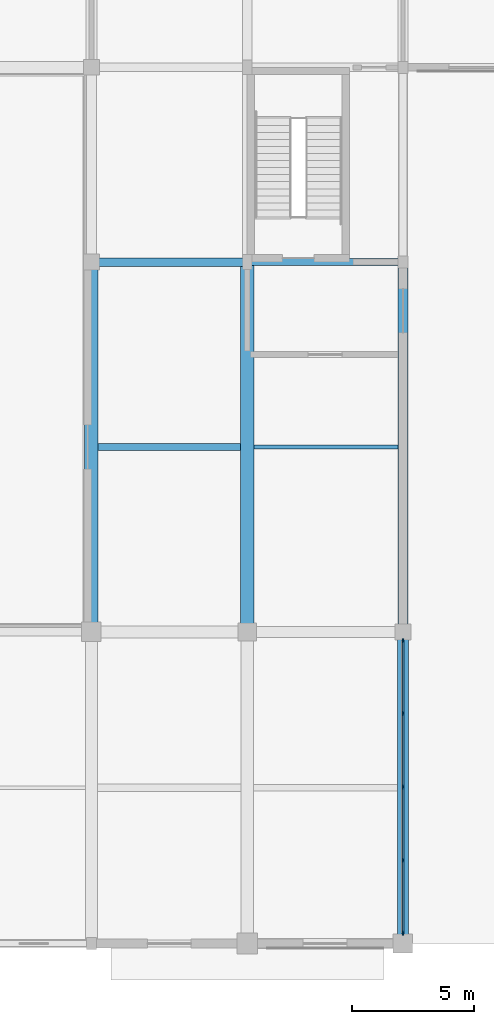
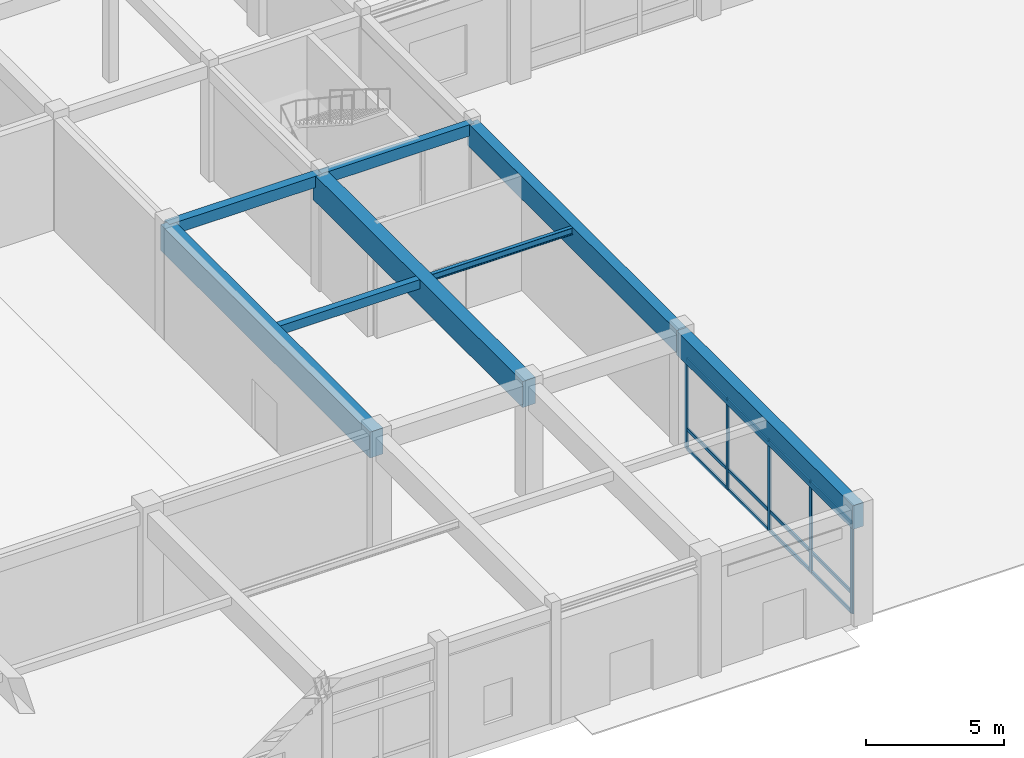
# One storey, part 6 of 40: 17 members, 8 beams, 1 element without a shape of its own.
"""IFC4 building model written with IfcOpenShell, lengths in metres."""

from ifc_helpers import new_model, si_unit, direction, frame, origin, origin_2d, place, context, subcontext, project, spatial, rectangle, i_section, extrude, material, material_profile, profile_set, type_object, element, aggregate, save


model = new_model("IFC4")

# Units and contexts
model_context = context("Model", 3, precision=1e-05, world=origin(), true_north=direction((0.0, 1.0)))
body_context = subcontext(model_context, "Body", "Model", "MODEL_VIEW")
ifc_project = project(units=[si_unit("LENGTHUNIT", "METRE"), si_unit("AREAUNIT", "SQUARE_METRE"), si_unit("VOLUMEUNIT", "CUBIC_METRE"), si_unit("PLANEANGLEUNIT", "RADIAN"), si_unit("MASSUNIT", "GRAM", prefix="KILO")], contexts=[model_context])

# Site, building, storey
site_placement = place(None, origin())
site = spatial("IfcSite", under=ifc_project, at=site_placement, CompositionType="ELEMENT")
building_placement = place(site_placement, origin())
building = spatial("IfcBuilding", under=site, at=building_placement, Name="Vellmiral Cinema and Media Centre", CompositionType="ELEMENT")
storey_placement = place(building_placement, origin())
storey = spatial("IfcBuildingStorey", under=building, at=storey_placement, Name="L00", CompositionType="ELEMENT", Elevation=0.0)

# Beams
ifc_material_1 = material(Name="Concrete C40/50", Category="concrete")
ifc_material_profile_1 = material_profile(ifc_material_1, rectangle(XDim=0.300048828125, YDim=0.5, at=origin_2d()), Name="RC 300x500")
ifc_profile_set_1 = profile_set([ifc_material_profile_1], Name="Concrete C40/50")
beam_type_1 = type_object("IfcBeamType", Name="BM-RC-300x500", PredefinedType="BEAM", material=ifc_profile_set_1)
beam_1_placement = place(storey_placement, frame((41.60009765625, 28.0, 4.824951171875), z_axis=(1.0, 0.0, 0.0), x_axis=(0.0, 1.0, 0.0)))
element("IfcBeam", 1, at=beam_1_placement, inside=storey, type_object=beam_type_1, Name="Grid Beam L00-X018", PredefinedType="BEAM", context=body_context, shape_type="SweptSolid", body=[
    extrude(rectangle(XDim=0.300048828125, YDim=0.5, at=origin_2d()), origin(), (0.0, 0.0, 1.0), 6.39990234375),
])
ifc_material_2 = material(Name="Concrete C40/50", Category="concrete")
ifc_material_profile_2 = material_profile(ifc_material_2, rectangle(XDim=0.35009765625, YDim=0.5, at=origin_2d()), Name="RC 350x500")
ifc_profile_set_2 = profile_set([ifc_material_profile_2], Name="Concrete C40/50")
beam_type_2 = type_object("IfcBeamType", Name="BM-RC-350x500", PredefinedType="BEAM", material=ifc_profile_set_2)
beam_2_placement = place(storey_placement, frame((35.199951171875, 28.0, 4.824951171875), z_axis=(1.0, 0.0, 0.0), x_axis=(0.0, 1.0, 0.0)))
element("IfcBeam", 2, at=beam_2_placement, inside=storey, type_object=beam_type_2, Name="Grid Beam L00-X017", PredefinedType="BEAM", context=body_context, shape_type="SweptSolid", body=[
    extrude(rectangle(XDim=0.35009765625, YDim=0.5, at=origin_2d()), origin(), (0.0, 0.0, 1.0), 6.400146484375),
])
ifc_material_3 = material(Name="Concrete C40/50", Category="concrete")
ifc_material_profile_3 = material_profile(ifc_material_3, rectangle(XDim=0.550048828125, YDim=1.14990234375, at=origin_2d()), Name="RC 550x1150")
ifc_profile_set_3 = profile_set([ifc_material_profile_3], Name="Concrete C40/50")
beam_type_3 = type_object("IfcBeamType", Name="BM-RCG-550x1150", PredefinedType="BEAM", material=ifc_profile_set_3)
for number, where, z_axis, x_axis, name in (
    (3, (35.199951171875, 12.800048828125, 4.5), (0.0, 1.0, 0.0), (-1.0, 0.0, 0.0), "Grid Beam L00-Y218"),
    (4, (41.60009765625, 12.800048828125, 4.5), (0.0, 1.0, 0.0), (-1.0, 0.0, 0.0), "Grid Beam L00-Y230"),
):
    element("IfcBeam", number, at=place(storey_placement, frame(where, z_axis=z_axis, x_axis=x_axis)), inside=storey, type_object=beam_type_3, Name=name, PredefinedType="BEAM", context=body_context, shape_type="SweptSolid", body=[
        extrude(rectangle(XDim=0.550048828125, YDim=1.14990234375, at=origin_2d()), origin(), (0.0, 0.0, 1.0), 15.199951171875),
    ])

# Curtain wall, members
ifc_material_4 = material(Name="Thermally Broken Aluminium and Triple Glazing", Category="aluminium")
curtain_wall_type = type_object("IfcCurtainWallType", Name="CW-POD-GALLERY", PredefinedType="USERDEFINED", material=ifc_material_4)
curtain_wall_placement = place(storey_placement, origin())
curtain_wall = element("IfcCurtainWall", 5, at=curtain_wall_placement, inside=storey, type_object=curtain_wall_type, Name="Curtain Wall L00-B009", ObjectType="STICK CURTAIN WALL", PredefinedType="USERDEFINED")
ifc_material_5 = material(Name="Thermally Broken Anodised Aluminium", Category="aluminium")
ifc_material_profile_4 = material_profile(ifc_material_5, rectangle(XDim=0.070068359375, YDim=0.179931640625, at=origin_2d()), Name="MULL 70x180")
ifc_profile_set_4 = profile_set([ifc_material_profile_4], Name="Thermally Broken Anodised Aluminium")
member_type_1 = type_object("IfcMemberType", Name="CWM-70x180", PredefinedType="MULLION", material=ifc_profile_set_4)
member_1_placement = place(storey_placement, frame((48.0, 0.43505859375, 0.0), z_axis=(0.0, 0.0, 1.0), x_axis=(-1.0, 0.0, 0.0)))
member_1 = element("IfcMember", 6, at=member_1_placement, type_object=member_type_1, Name="CW-04 mullion 1", PredefinedType="MULLION", context=body_context, shape_type="SweptSolid", body=[
    extrude(rectangle(XDim=0.070068359375, YDim=0.179931640625, at=origin_2d()), origin(), (0.0, 0.0, 1.0), 4.014892578125),
])
member_2_placement = place(storey_placement, frame((48.0, 3.418701171875, 0.0), z_axis=(0.0, 0.0, 1.0), x_axis=(-1.0, 0.0, 0.0)))
member_2 = element("IfcMember", 7, at=member_2_placement, type_object=member_type_1, Name="CW-04 mullion 2", PredefinedType="MULLION", context=body_context, shape_type="SweptSolid", body=[
    extrude(rectangle(XDim=0.070068359375, YDim=0.179931640625, at=origin_2d()), origin(), (0.0, 0.0, 1.0), 4.014892578125),
])
member_3_placement = place(storey_placement, frame((48.0, 6.4375, 0.0), z_axis=(0.0, 0.0, 1.0), x_axis=(-1.0, 0.0, 0.0)))
member_3 = element("IfcMember", 8, at=member_3_placement, type_object=member_type_1, Name="CW-04 mullion 3", PredefinedType="MULLION", context=body_context, shape_type="SweptSolid", body=[
    extrude(rectangle(XDim=0.070068359375, YDim=0.179931640625, at=origin_2d()), origin(), (0.0, 0.0, 1.0), 4.014892578125),
])
member_4_placement = place(storey_placement, frame((48.0, 9.456298828125, 0.0), z_axis=(0.0, 0.0, 1.0), x_axis=(-1.0, 0.0, 0.0)))
member_4 = element("IfcMember", 9, at=member_4_placement, type_object=member_type_1, Name="CW-04 mullion 4", PredefinedType="MULLION", context=body_context, shape_type="SweptSolid", body=[
    extrude(rectangle(XDim=0.070068359375, YDim=0.179931640625, at=origin_2d()), origin(), (0.0, 0.0, 1.0), 4.014892578125),
])
member_5_placement = place(storey_placement, frame((48.0, 12.43994140625, 0.0), z_axis=(0.0, 0.0, 1.0), x_axis=(-1.0, 0.0, 0.0)))
member_5 = element("IfcMember", 10, at=member_5_placement, type_object=member_type_1, Name="CW-04 mullion 5", PredefinedType="MULLION", context=body_context, shape_type="SweptSolid", body=[
    extrude(rectangle(XDim=0.070068359375, YDim=0.179931640625, at=origin_2d()), origin(), (0.0, 0.0, 1.0), 4.014892578125),
])
ifc_material_6 = material(Name="Thermally Broken Anodised Aluminium", Category="aluminium")
ifc_material_profile_5 = material_profile(ifc_material_6, rectangle(XDim=0.070068359375, YDim=0.14990234375, at=origin_2d()), Name="MULL 70x150")
ifc_profile_set_5 = profile_set([ifc_material_profile_5], Name="Thermally Broken Anodised Aluminium")
member_type_2 = type_object("IfcMemberType", Name="CWT-70x150", PredefinedType="USERDEFINED", material=ifc_profile_set_5)
member_6_placement = place(storey_placement, frame((48.0, 0.469970703125, 0.034912109375), z_axis=(0.0, 1.0, 0.0), x_axis=(-1.0, 0.0, 0.0)))
member_6 = element("IfcMember", 11, at=member_6_placement, type_object=member_type_2, Name="CW-04 transom 1.1", ObjectType="TRANSOM", PredefinedType="USERDEFINED", context=body_context, shape_type="SweptSolid", body=[
    extrude(rectangle(XDim=0.070068359375, YDim=0.14990234375, at=origin_2d()), origin(), (0.0, 0.0, 1.0), 2.913818359375),
])
member_7_placement = place(storey_placement, frame((48.0, 0.469970703125, 0.89990234375), z_axis=(0.0, 1.0, 0.0), x_axis=(-1.0, 0.0, 0.0)))
member_7 = element("IfcMember", 12, at=member_7_placement, type_object=member_type_2, Name="CW-04 transom 1.2", ObjectType="TRANSOM", PredefinedType="USERDEFINED", context=body_context, shape_type="SweptSolid", body=[
    extrude(rectangle(XDim=0.070068359375, YDim=0.14990234375, at=origin_2d()), origin(), (0.0, 0.0, 1.0), 2.913818359375),
])
member_8_placement = place(storey_placement, frame((48.0, 0.469970703125, 3.97998046875), z_axis=(0.0, 1.0, 0.0), x_axis=(-1.0, 0.0, 0.0)))
member_8 = element("IfcMember", 13, at=member_8_placement, type_object=member_type_2, Name="CW-04 transom 1.3", ObjectType="TRANSOM", PredefinedType="USERDEFINED", context=body_context, shape_type="SweptSolid", body=[
    extrude(rectangle(XDim=0.070068359375, YDim=0.14990234375, at=origin_2d()), origin(), (0.0, 0.0, 1.0), 2.913818359375),
])
member_9_placement = place(storey_placement, frame((48.0, 3.453857421875, 0.034912109375), z_axis=(0.0, 1.0, 0.0), x_axis=(-1.0, 0.0, 0.0)))
member_9 = element("IfcMember", 14, at=member_9_placement, type_object=member_type_2, Name="CW-04 transom 2.1", ObjectType="TRANSOM", PredefinedType="USERDEFINED", context=body_context, shape_type="SweptSolid", body=[
    extrude(rectangle(XDim=0.070068359375, YDim=0.14990234375, at=origin_2d()), origin(), (0.0, 0.0, 1.0), 2.94873046875),
])
member_10_placement = place(storey_placement, frame((48.0, 3.453857421875, 0.89990234375), z_axis=(0.0, 1.0, 0.0), x_axis=(-1.0, 0.0, 0.0)))
member_10 = element("IfcMember", 15, at=member_10_placement, type_object=member_type_2, Name="CW-04 transom 2.2", ObjectType="TRANSOM", PredefinedType="USERDEFINED", context=body_context, shape_type="SweptSolid", body=[
    extrude(rectangle(XDim=0.070068359375, YDim=0.14990234375, at=origin_2d()), origin(), (0.0, 0.0, 1.0), 2.94873046875),
])
member_11_placement = place(storey_placement, frame((48.0, 3.453857421875, 3.97998046875), z_axis=(0.0, 1.0, 0.0), x_axis=(-1.0, 0.0, 0.0)))
member_11 = element("IfcMember", 16, at=member_11_placement, type_object=member_type_2, Name="CW-04 transom 2.3", ObjectType="TRANSOM", PredefinedType="USERDEFINED", context=body_context, shape_type="SweptSolid", body=[
    extrude(rectangle(XDim=0.070068359375, YDim=0.14990234375, at=origin_2d()), origin(), (0.0, 0.0, 1.0), 2.94873046875),
])
member_12_placement = place(storey_placement, frame((48.0, 6.472412109375, 0.034912109375), z_axis=(0.0, 1.0, 0.0), x_axis=(-1.0, 0.0, 0.0)))
member_12 = element("IfcMember", 17, at=member_12_placement, type_object=member_type_2, Name="CW-04 transom 3.1", ObjectType="TRANSOM", PredefinedType="USERDEFINED", context=body_context, shape_type="SweptSolid", body=[
    extrude(rectangle(XDim=0.070068359375, YDim=0.14990234375, at=origin_2d()), origin(), (0.0, 0.0, 1.0), 2.94873046875),
])
member_13_placement = place(storey_placement, frame((48.0, 6.472412109375, 0.89990234375), z_axis=(0.0, 1.0, 0.0), x_axis=(-1.0, 0.0, 0.0)))
member_13 = element("IfcMember", 18, at=member_13_placement, type_object=member_type_2, Name="CW-04 transom 3.2", ObjectType="TRANSOM", PredefinedType="USERDEFINED", context=body_context, shape_type="SweptSolid", body=[
    extrude(rectangle(XDim=0.070068359375, YDim=0.14990234375, at=origin_2d()), origin(), (0.0, 0.0, 1.0), 2.94873046875),
])
member_14_placement = place(storey_placement, frame((48.0, 6.472412109375, 3.97998046875), z_axis=(0.0, 1.0, 0.0), x_axis=(-1.0, 0.0, 0.0)))
member_14 = element("IfcMember", 19, at=member_14_placement, type_object=member_type_2, Name="CW-04 transom 3.3", ObjectType="TRANSOM", PredefinedType="USERDEFINED", context=body_context, shape_type="SweptSolid", body=[
    extrude(rectangle(XDim=0.070068359375, YDim=0.14990234375, at=origin_2d()), origin(), (0.0, 0.0, 1.0), 2.94873046875),
])
member_15_placement = place(storey_placement, frame((48.0, 9.4912109375, 0.034912109375), z_axis=(0.0, 1.0, 0.0), x_axis=(-1.0, 0.0, 0.0)))
member_15 = element("IfcMember", 20, at=member_15_placement, type_object=member_type_2, Name="CW-04 transom 4.1", ObjectType="TRANSOM", PredefinedType="USERDEFINED", context=body_context, shape_type="SweptSolid", body=[
    extrude(rectangle(XDim=0.070068359375, YDim=0.14990234375, at=origin_2d()), origin(), (0.0, 0.0, 1.0), 2.913818359375),
])
member_16_placement = place(storey_placement, frame((48.0, 9.4912109375, 0.89990234375), z_axis=(0.0, 1.0, 0.0), x_axis=(-1.0, 0.0, 0.0)))
member_16 = element("IfcMember", 21, at=member_16_placement, type_object=member_type_2, Name="CW-04 transom 4.2", ObjectType="TRANSOM", PredefinedType="USERDEFINED", context=body_context, shape_type="SweptSolid", body=[
    extrude(rectangle(XDim=0.070068359375, YDim=0.14990234375, at=origin_2d()), origin(), (0.0, 0.0, 1.0), 2.913818359375),
])
member_17_placement = place(storey_placement, frame((48.0, 9.4912109375, 3.97998046875), z_axis=(0.0, 1.0, 0.0), x_axis=(-1.0, 0.0, 0.0)))
member_17 = element("IfcMember", 22, at=member_17_placement, type_object=member_type_2, Name="CW-04 transom 4.3", ObjectType="TRANSOM", PredefinedType="USERDEFINED", context=body_context, shape_type="SweptSolid", body=[
    extrude(rectangle(XDim=0.070068359375, YDim=0.14990234375, at=origin_2d()), origin(), (0.0, 0.0, 1.0), 2.913818359375),
])
aggregate(curtain_wall, [member_1, member_2, member_3, member_4, member_5, member_6, member_7, member_8, member_9, member_10, member_11, member_12, member_13, member_14, member_15, member_16, member_17])

# Beams
ifc_material_7 = material(Name="Concrete C40/50", Category="concrete")
ifc_material_profile_6 = material_profile(ifc_material_7, rectangle(XDim=0.280029296875, YDim=0.39990234375, at=origin_2d()), Name="RC 280x400")
ifc_profile_set_6 = profile_set([ifc_material_profile_6], Name="Concrete C40/50")
beam_type_4 = type_object("IfcBeamType", Name="JST-RC-280x400", PredefinedType="JOIST", material=ifc_profile_set_6)
beam_3_placement = place(storey_placement, frame((35.47509765625, 20.39990234375, 4.875), z_axis=(1.0, 0.0, 0.0), x_axis=(0.0, 1.0, 0.0)))
element("IfcBeam", 23, at=beam_3_placement, inside=storey, type_object=beam_type_4, Name="Secondary Floor Joist L00-007", PredefinedType="JOIST", context=body_context, shape_type="SweptSolid", body=[
    extrude(rectangle(XDim=0.280029296875, YDim=0.39990234375, at=origin_2d()), origin(), (0.0, 0.0, 1.0), 5.849853515625),
])
ifc_material_8 = material(Name="Steel S355", Category="steel")
ifc_material_profile_7 = material_profile(ifc_material_8, i_section(OverallWidth=0.14990234375, OverallDepth=0.300048828125, WebThickness=0.007080078125, FlangeThickness=0.0107421875, FilletRadius=0.014892578125, at=origin_2d()), Name="IPE 300")
ifc_profile_set_7 = profile_set([ifc_material_profile_7], Name="Steel S355")
beam_type_5 = type_object("IfcBeamType", Name="SBM-IPE300", PredefinedType="JOIST", material=ifc_profile_set_7)
beam_4_placement = place(storey_placement, frame((41.875, 20.39990234375, 4.925048828125), z_axis=(1.0, 0.0, 0.0), x_axis=(0.0, 1.0, 0.0)))
element("IfcBeam", 24, at=beam_4_placement, inside=storey, type_object=beam_type_5, Name="Secondary Floor Joist L00-010", PredefinedType="JOIST", context=body_context, shape_type="SweptSolid", body=[
    extrude(i_section(OverallWidth=0.14990234375, OverallDepth=0.300048828125, WebThickness=0.007080078125, FlangeThickness=0.0107421875, FilletRadius=0.014892578125, at=origin_2d()), origin(), (0.0, 0.0, 1.0), 5.9150390625),
])
ifc_material_9 = material(Name="Concrete C40/50", Category="concrete")
ifc_material_profile_8 = material_profile(ifc_material_9, rectangle(XDim=0.449951171875, YDim=1.050048828125, at=origin_2d()), Name="RC 450x1050")
ifc_profile_set_8 = profile_set([ifc_material_profile_8], Name="Concrete C40/50")
beam_type_6 = type_object("IfcBeamType", Name="SPD-RCG-450x1050", PredefinedType="SPANDREL", material=ifc_profile_set_8)
beam_5_placement = place(storey_placement, frame((48.0, 0.0, 4.550048828125), z_axis=(0.0, 1.0, 0.0), x_axis=(-1.0, 0.0, 0.0)))
element("IfcBeam", 25, at=beam_5_placement, inside=storey, type_object=beam_type_6, Name="Grid Beam L00-Y241", PredefinedType="SPANDREL", context=body_context, shape_type="SweptSolid", body=[
    extrude(rectangle(XDim=0.449951171875, YDim=1.050048828125, at=origin_2d()), origin(), (0.0, 0.0, 1.0), 12.800048828125),
])
ifc_material_10 = material(Name="Vosges Red Sandstone Masonry", Category="masonry")
ifc_material_profile_9 = material_profile(ifc_material_10, rectangle(XDim=0.419921875, YDim=1.0, at=origin_2d()), Name="SAND 420x1000")
ifc_profile_set_9 = profile_set([ifc_material_profile_9], Name="Vosges Red Sandstone Masonry")
beam_type_7 = type_object("IfcBeamType", Name="SPD-SANDG-420x1000", PredefinedType="SPANDREL", material=ifc_profile_set_9)
beam_6_placement = place(storey_placement, frame((48.0, 12.800048828125, 4.574951171875), z_axis=(0.0, 1.0, 0.0), x_axis=(-1.0, 0.0, 0.0)))
element("IfcBeam", 26, at=beam_6_placement, inside=storey, type_object=beam_type_7, Name="Grid Beam L00-Y242", PredefinedType="SPANDREL", context=body_context, shape_type="SweptSolid", body=[
    extrude(rectangle(XDim=0.419921875, YDim=1.0, at=origin_2d()), origin(), (0.0, 0.0, 1.0), 15.199951171875),
])

save(model, "model.ifc")
